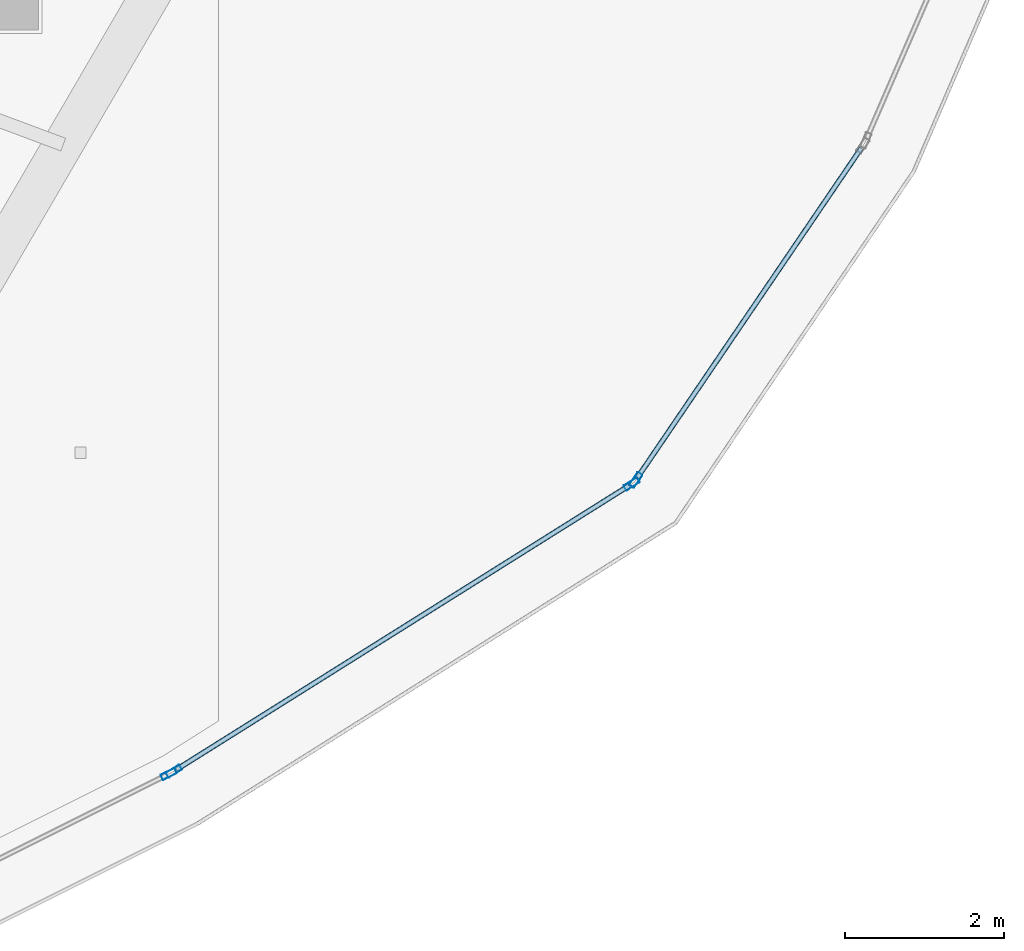
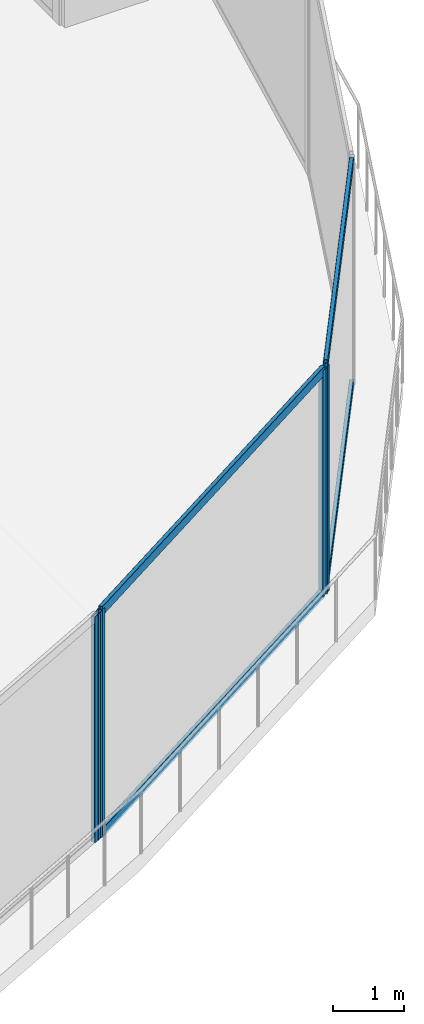
# One storey, part 7 of 25: 8 members, 3 elements without a shape of their own.
"""IFC4 building model written with IfcOpenShell, lengths in metres."""

import ifcopenshell
import ifcopenshell.guid

model = None  # the IFC model being written
_history = None  # IfcOwnerHistory: only IFC2X3 demands one
_inside = {}  # id of a spatial element -> (the spatial element, [elements in it])
_under = {}  # id of a project, library or spatial element -> (it, [spatial elements below it])
_declared = {}  # id of a project -> (the project, [libraries it declares])
_typed = {}  # id of a type object -> (the type object, [elements of that type])
_made_of = {}  # id of a material, layer set ... -> (it, [elements and type objects made of it])


def new_model(schema):
    """Start an empty IFC model of exactly this schema.

    Asked for "IFC4X3", IfcOpenShell would pick the latest addendum, in which some entities
    have other attributes; the version numbers below select the first issue.
    IFC2X3 requires an IfcOwnerHistory on every rooted entity: one is made here for all.
    """
    global model, _history
    if schema == "IFC4X3":
        model = ifcopenshell.file(schema_version=(4, 3, 0, 0))
    else:
        model = ifcopenshell.file(schema=schema)
    _inside.clear()
    _under.clear()
    _declared.clear()
    _typed.clear()
    _made_of.clear()
    _history = None
    if model.schema == "IFC2X3":
        org = make("IfcOrganization", Name="unknown")
        user = make(
            "IfcPersonAndOrganization",
            ThePerson=make("IfcPerson", FamilyName="unknown"),
            TheOrganization=org,
        )
        app = make(
            "IfcApplication",
            ApplicationDeveloper=org,
            Version="unknown",
            ApplicationFullName="unknown",
            ApplicationIdentifier="unknown",
        )
        _history = make(
            "IfcOwnerHistory",
            OwningUser=user,
            OwningApplication=app,
            ChangeAction="ADDED",
            CreationDate=0,
        )
    return model


def make(cls, **values):
    """One entity of the class cls with the attributes given. An attribute that is None is left unset."""
    return model.create_entity(
        cls, **{name: value for name, value in values.items() if value is not None}
    )


def rooted(cls, **values):
    """An entity with a GlobalId (a new one), such as an element, a storey or a relation."""
    return make(cls, GlobalId=ifcopenshell.guid.new(), OwnerHistory=_history, **values)


def si_unit(unit_type, name, prefix=None):
    """IfcSIUnit, for example si_unit("LENGTHUNIT", "METRE", prefix="MILLI")."""
    return make("IfcSIUnit", UnitType=unit_type, Prefix=prefix, Name=name)


def assignment(units):
    """IfcUnitAssignment: the units of a project."""
    return None if units is None else make("IfcUnitAssignment", Units=units)


def point(xyz):
    """IfcCartesianPoint."""
    return None if xyz is None else make("IfcCartesianPoint", Coordinates=xyz)


def direction(xyz):
    """IfcDirection."""
    return None if xyz is None else make("IfcDirection", DirectionRatios=xyz)


def frame(location, z_axis=None, x_axis=None):
    """IfcAxis2Placement3D, a coordinate frame: its origin and axes. An axis left out is left unset."""
    return make(
        "IfcAxis2Placement3D",
        Location=point(location),
        Axis=direction(z_axis),
        RefDirection=direction(x_axis),
    )


def frame_2d(location, x_axis=None):
    """IfcAxis2Placement2D, a coordinate frame in the plane: its origin and x axis."""
    return make(
        "IfcAxis2Placement2D", Location=point(location), RefDirection=direction(x_axis)
    )


def origin():
    """The frame at (0, 0, 0) with its axes left unset."""
    return frame((0.0, 0.0, 0.0))


def origin_2d():
    """The frame at (0, 0) in the plane with its x axis left unset."""
    return frame_2d((0.0, 0.0))


def place(relative_to, where):
    """IfcLocalPlacement: puts the frame where relative to a parent placement (None: the world)."""
    return make(
        "IfcLocalPlacement", PlacementRelTo=relative_to, RelativePlacement=where
    )


def context(
    kind, dimensions, precision=None, world=None, true_north=None, identifier=None
):
    """IfcGeometricRepresentationContext, for example the 3D "Model" context."""
    return make(
        "IfcGeometricRepresentationContext",
        ContextIdentifier=identifier,
        ContextType=kind,
        CoordinateSpaceDimension=dimensions,
        Precision=precision,
        WorldCoordinateSystem=world,
        TrueNorth=true_north,
    )


def subcontext(parent, identifier, kind, view, scale=None):
    """IfcGeometricRepresentationSubContext, for example "Body" below "Model"."""
    return make(
        "IfcGeometricRepresentationSubContext",
        ContextIdentifier=identifier,
        ContextType=kind,
        ParentContext=parent,
        TargetScale=scale,
        TargetView=view,
    )


def project(units=None, contexts=None):
    """IfcProject with its units and contexts."""
    return rooted(
        "IfcProject",
        Name="project",
        RepresentationContexts=contexts,
        UnitsInContext=assignment(units),
    )


def spatial(cls, under=None, at=None, **own):
    """A site, building, storey or space (cls), placed at a placement, below another one or the project."""
    s = rooted(cls, ObjectPlacement=at, **own)
    if under is not None:
        _under.setdefault(under.id(), (under, []))[1].append(s)
    return s


def profile(cls, at=None, kind="AREA", **sizes):
    """A parametric profile (cls). Its sizes go by their IFC names, for example OverallWidth=200.0."""
    return make(cls, ProfileType=kind, Position=at, **sizes)


def hollow_rectangle(**sizes):
    """IfcRectangleHollowProfileDef."""
    return profile("IfcRectangleHollowProfileDef", **sizes)


def extrude(swept, where, along, depth):
    """IfcExtrudedAreaSolid: the profile swept, set in the frame where, extruded along a direction by depth."""
    return make(
        "IfcExtrudedAreaSolid",
        SweptArea=swept,
        Position=where,
        ExtrudedDirection=direction(along),
        Depth=depth,
    )


def shape(context_of_items, identifier, shape_type, items):
    """IfcShapeRepresentation: the items that make up one representation, for example the "Body"."""
    return make(
        "IfcShapeRepresentation",
        ContextOfItems=context_of_items,
        RepresentationIdentifier=identifier,
        RepresentationType=shape_type,
        Items=items,
    )


def material(Name=None, Category=None):
    """IfcMaterial."""
    return make("IfcMaterial", Name=Name, Category=Category)


def layer(
    of_material, thickness, ventilated=None, Name=None, Category=None, Priority=None
):
    """IfcMaterialLayer: one layer of a wall or slab, of a material (None: an air gap)."""
    return make(
        "IfcMaterialLayer",
        Material=of_material,
        LayerThickness=thickness,
        IsVentilated=ventilated,
        Name=Name,
        Category=Category,
        Priority=Priority,
    )


def layer_set(layers, Name=None):
    """IfcMaterialLayerSet."""
    return make("IfcMaterialLayerSet", MaterialLayers=layers, LayerSetName=Name)


def material_profile(
    of_material, cross_section, Name=None, Category=None, Priority=None
):
    """IfcMaterialProfile: a cross section and its material."""
    return make(
        "IfcMaterialProfile",
        Name=Name,
        Material=of_material,
        Profile=cross_section,
        Priority=Priority,
        Category=Category,
    )


def profile_set(profiles, Name=None, composite=None):
    """IfcMaterialProfileSet."""
    return make(
        "IfcMaterialProfileSet",
        Name=Name,
        MaterialProfiles=profiles,
        CompositeProfile=composite,
    )


def made_of(thing, what):
    """Note that an element or type object is made of a material, layer set ...; save() writes the relation."""
    if what is not None:
        _made_of.setdefault(what.id(), (what, []))[1].append(thing)
    return thing


def type_object(cls, material=None, **own):
    """A type object (cls), such as IfcWallType, which elements share."""
    return made_of(rooted(cls, **own), material)


def element(
    cls,
    number,
    at=None,
    inside=None,
    cuts=None,
    type_object=None,
    material=None,
    context=None,
    identifier="Body",
    shape_type=None,
    held_by="IfcProductDefinitionShape",
    body=None,
    shapes=None,
    **own,
):
    """One element of the class cls, such as IfcWall. Its Tag is "e" and its number.

    at: its placement. inside: the storey or other place that contains it. cuts: it is an
    opening in that element (IfcRelVoidsElement). A single representation is given by context,
    identifier, shape_type and body (its items); several are given by shapes. held_by: the class
    of the entity that holds the representations. save() writes the other relations.
    """
    e = rooted(cls, Tag="e%d" % number, ObjectPlacement=at, **own)
    if body is not None:
        shapes = [shape(context, identifier, shape_type, body)]
    if shapes is not None:
        e.Representation = make(held_by, Representations=shapes)
    if inside is not None:
        _inside.setdefault(inside.id(), (inside, []))[1].append(e)
    if cuts is not None:
        rooted(
            "IfcRelVoidsElement", RelatingBuildingElement=cuts, RelatedOpeningElement=e
        )
    if type_object is not None:
        _typed.setdefault(type_object.id(), (type_object, []))[1].append(e)
    return made_of(e, material)


def aggregate(whole, parts):
    """IfcRelAggregates: a whole, such as a stair, and the parts it consists of."""
    return rooted("IfcRelAggregates", RelatingObject=whole, RelatedObjects=parts)


def save(model, path):
    """Write the relations noted so far, then the file.

    IfcRelAggregates (storeys below a building ...), IfcRelContainedInSpatialStructure (elements
    in a storey), IfcRelDefinesByType, IfcRelAssociatesMaterial and IfcRelDeclares: one each for
    every whole, place, type object, material and project.
    """
    for whole, parts in _under.values():
        aggregate(whole, parts)
    for where, things in _inside.values():
        rooted(
            "IfcRelContainedInSpatialStructure",
            RelatedElements=things,
            RelatingStructure=where,
        )
    for kind, things in _typed.values():
        rooted("IfcRelDefinesByType", RelatedObjects=things, RelatingType=kind)
    for what, things in _made_of.values():
        rooted("IfcRelAssociatesMaterial", RelatedObjects=things, RelatingMaterial=what)
    for by, libraries in _declared.values():
        rooted("IfcRelDeclares", RelatingContext=by, RelatedDefinitions=libraries)
    model.write(path)


model = new_model("IFC4")

# Units and contexts
model_context = context("Model", 3, precision=1e-05, world=origin(), true_north=direction((0.0, 1.0)))
body_context = subcontext(model_context, "Body", "Model", "MODEL_VIEW")
ifc_project = project(units=[si_unit("LENGTHUNIT", "METRE"), si_unit("AREAUNIT", "SQUARE_METRE"), si_unit("VOLUMEUNIT", "CUBIC_METRE"), si_unit("PLANEANGLEUNIT", "RADIAN"), si_unit("MASSUNIT", "GRAM", prefix="KILO")], contexts=[model_context])

# Site, building, storey
site_placement = place(None, origin())
site = spatial("IfcSite", under=ifc_project, at=site_placement, CompositionType="ELEMENT")
building_placement = place(site_placement, origin())
building = spatial("IfcBuilding", under=site, at=building_placement, Name="Qorvath Tower", CompositionType="ELEMENT")
storey_placement = place(building_placement, frame((0.0, 0.0, 297.60009765625)))
storey = spatial("IfcBuildingStorey", under=building, at=storey_placement, Name="L69", CompositionType="ELEMENT", Elevation=297.60009765625)

# Curtain wall, member
ifc_material_1 = material(Name="Anodised aluminium and triple low-E glass", Category="aluminium")
ifc_layer = layer(ifc_material_1, 0.179931640625)
ifc_layer_set = layer_set([ifc_layer], Name="CW-SYS-5")
curtain_wall_type = type_object("IfcCurtainWallType", Name="CW-SYS-5", PredefinedType="NOTDEFINED", material=ifc_layer_set)
curtain_wall_1_placement = place(storey_placement, origin())
curtain_wall_1 = element("IfcCurtainWall", 1, at=curtain_wall_1_placement, inside=storey, type_object=curtain_wall_type, Name="Curtain Wall CW-5 CW-T-L69-3.1", PredefinedType="NOTDEFINED")
ifc_material_2 = material(Name="Anodised aluminium 6063-T6", Category="aluminium")
ifc_material_profile_1 = material_profile(ifc_material_2, hollow_rectangle(XDim=0.074951171875, YDim=0.199951171875, WallThickness=0.00390625, InnerFilletRadius=0.00390625, OuterFilletRadius=0.008056640625, at=origin_2d()), Name="CWM 200x75")
ifc_profile_set_1 = profile_set([ifc_material_profile_1], Name="Anodised aluminium 6063-T6")
member_type_1 = type_object("IfcMemberType", Name="CWM-200", PredefinedType="MULLION", material=ifc_profile_set_1)
member_1_placement = place(storey_placement, frame((-15.158447265625, -21.223388671875, 0.0), z_axis=(0.0, 0.0, 1.0), x_axis=(-0.447180696116, 0.894443639936, 0.0)))
member_1 = element("IfcMember", 2, at=member_1_placement, type_object=member_type_1, Name="CW-5 mullion 2", PredefinedType="MULLION", context=body_context, shape_type="SweptSolid", body=[
    extrude(hollow_rectangle(XDim=0.074951171875, YDim=0.199951171875, WallThickness=0.00390625, InnerFilletRadius=0.00390625, OuterFilletRadius=0.008056640625, at=origin_2d()), origin(), (0.0, 0.0, 1.0), 3.909912109375),
])
aggregate(curtain_wall_1, [member_1])

# Curtain wall, members
curtain_wall_2_placement = place(storey_placement, origin())
curtain_wall_2 = element("IfcCurtainWall", 3, at=curtain_wall_2_placement, inside=storey, type_object=curtain_wall_type, Name="Curtain Wall CW-5 CW-T-L69-4.1", PredefinedType="NOTDEFINED")
member_2_placement = place(storey_placement, frame((-15.09326171875, -21.1865234375, 0.0), z_axis=(0.0, 0.0, 1.0), x_axis=(-0.531389450344, 0.847127648034, 0.0)))
member_2 = element("IfcMember", 4, at=member_2_placement, type_object=member_type_1, Name="CW-5 mullion 1", PredefinedType="MULLION", context=body_context, shape_type="SweptSolid", body=[
    extrude(hollow_rectangle(XDim=0.074951171875, YDim=0.199951171875, WallThickness=0.00390625, InnerFilletRadius=0.00390625, OuterFilletRadius=0.008056640625, at=origin_2d()), origin(), (0.0, 0.0, 1.0), 3.909912109375),
])
member_3_placement = place(storey_placement, frame((-9.32763671875, -17.56982421875, 0.0), z_axis=(0.0, 0.0, 1.0), x_axis=(-0.531389450344, 0.847127648034, 0.0)))
member_3 = element("IfcMember", 5, at=member_3_placement, type_object=member_type_1, Name="CW-5 mullion 2", PredefinedType="MULLION", context=body_context, shape_type="SweptSolid", body=[
    extrude(hollow_rectangle(XDim=0.074951171875, YDim=0.199951171875, WallThickness=0.00390625, InnerFilletRadius=0.00390625, OuterFilletRadius=0.008056640625, at=origin_2d()), origin(), (0.0, 0.0, 1.0), 3.909912109375),
])

# Curtain wall, member
curtain_wall_3_placement = place(storey_placement, origin())
curtain_wall_3 = element("IfcCurtainWall", 6, at=curtain_wall_3_placement, inside=storey, type_object=curtain_wall_type, Name="Curtain Wall CW-5 CW-T-L69-5.1", PredefinedType="NOTDEFINED")
member_4_placement = place(storey_placement, frame((-9.27490234375, -17.51904296875, 0.0), z_axis=(0.0, 0.0, 1.0), x_axis=(-0.827147097371, 0.561985479626, 0.0)))
member_4 = element("IfcMember", 7, at=member_4_placement, type_object=member_type_1, Name="CW-5 mullion 1", PredefinedType="MULLION", context=body_context, shape_type="SweptSolid", body=[
    extrude(hollow_rectangle(XDim=0.074951171875, YDim=0.199951171875, WallThickness=0.00390625, InnerFilletRadius=0.00390625, OuterFilletRadius=0.008056640625, at=origin_2d()), origin(), (0.0, 0.0, 1.0), 3.909912109375),
])

# Member
ifc_material_3 = material(Name="Anodised aluminium 6063-T6", Category="aluminium")
ifc_material_profile_2 = material_profile(ifc_material_3, hollow_rectangle(XDim=0.06494140625, YDim=0.159912109375, WallThickness=0.00341796875, InnerFilletRadius=0.00341796875, OuterFilletRadius=0.007080078125, at=origin_2d()), Name="CWT 160x65")
ifc_profile_set_2 = profile_set([ifc_material_profile_2], Name="Anodised aluminium 6063-T6")
member_type_2 = type_object("IfcMemberType", Name="CWT-160", PredefinedType="USERDEFINED", material=ifc_profile_set_2)
member_5_placement = place(storey_placement, frame((-15.0615234375, -21.166748046875, 0.032470703125), z_axis=(0.847125042833, 0.531393603466, 0.0), x_axis=(-0.531393603466, 0.847125042833, 0.0)))
member_5 = element("IfcMember", 8, at=member_5_placement, type_object=member_type_2, Name="CW-5 transom 1.1", ObjectType="TRANSOM", PredefinedType="USERDEFINED", context=body_context, shape_type="SweptSolid", body=[
    extrude(hollow_rectangle(XDim=0.06494140625, YDim=0.159912109375, WallThickness=0.00341796875, InnerFilletRadius=0.00341796875, OuterFilletRadius=0.007080078125, at=origin_2d()), origin(), (0.0, 0.0, 1.0), 6.731201171875),
])

member_6_placement = place(storey_placement, frame((-15.0615234375, -21.166748046875, 3.87744140625), z_axis=(0.847125042833, 0.531393603466, 0.0), x_axis=(-0.531393603466, 0.847125042833, 0.0)))
member_6 = element("IfcMember", 9, at=member_6_placement, type_object=member_type_2, Name="CW-5 transom 1.2", ObjectType="TRANSOM", PredefinedType="USERDEFINED", context=body_context, shape_type="SweptSolid", body=[
    extrude(hollow_rectangle(XDim=0.06494140625, YDim=0.159912109375, WallThickness=0.00341796875, InnerFilletRadius=0.00341796875, OuterFilletRadius=0.007080078125, at=origin_2d()), origin(), (0.0, 0.0, 1.0), 6.731201171875),
])

aggregate(curtain_wall_2, [member_2, member_3, member_5, member_6])

member_7_placement = place(storey_placement, frame((-9.253662109375, -17.488037109375, 0.032470703125), z_axis=(0.561955914712, 0.827167183779, 0.0), x_axis=(-0.827167183779, 0.561955914712, 0.0)))
member_7 = element("IfcMember", 10, at=member_7_placement, type_object=member_type_2, Name="CW-5 transom 1.1", ObjectType="TRANSOM", PredefinedType="USERDEFINED", context=body_context, shape_type="SweptSolid", body=[
    extrude(hollow_rectangle(XDim=0.06494140625, YDim=0.159912109375, WallThickness=0.00341796875, InnerFilletRadius=0.00341796875, OuterFilletRadius=0.007080078125, at=origin_2d()), origin(), (0.0, 0.0, 1.0), 5.01708984375),
])

member_8_placement = place(storey_placement, frame((-9.253662109375, -17.488037109375, 3.87744140625), z_axis=(0.561955914712, 0.827167183779, 0.0), x_axis=(-0.827167183779, 0.561955914712, 0.0)))
member_8 = element("IfcMember", 11, at=member_8_placement, type_object=member_type_2, Name="CW-5 transom 1.2", ObjectType="TRANSOM", PredefinedType="USERDEFINED", context=body_context, shape_type="SweptSolid", body=[
    extrude(hollow_rectangle(XDim=0.06494140625, YDim=0.159912109375, WallThickness=0.00341796875, InnerFilletRadius=0.00341796875, OuterFilletRadius=0.007080078125, at=origin_2d()), origin(), (0.0, 0.0, 1.0), 5.01708984375),
])

aggregate(curtain_wall_3, [member_4, member_7, member_8])

save(model, "model.ifc")
